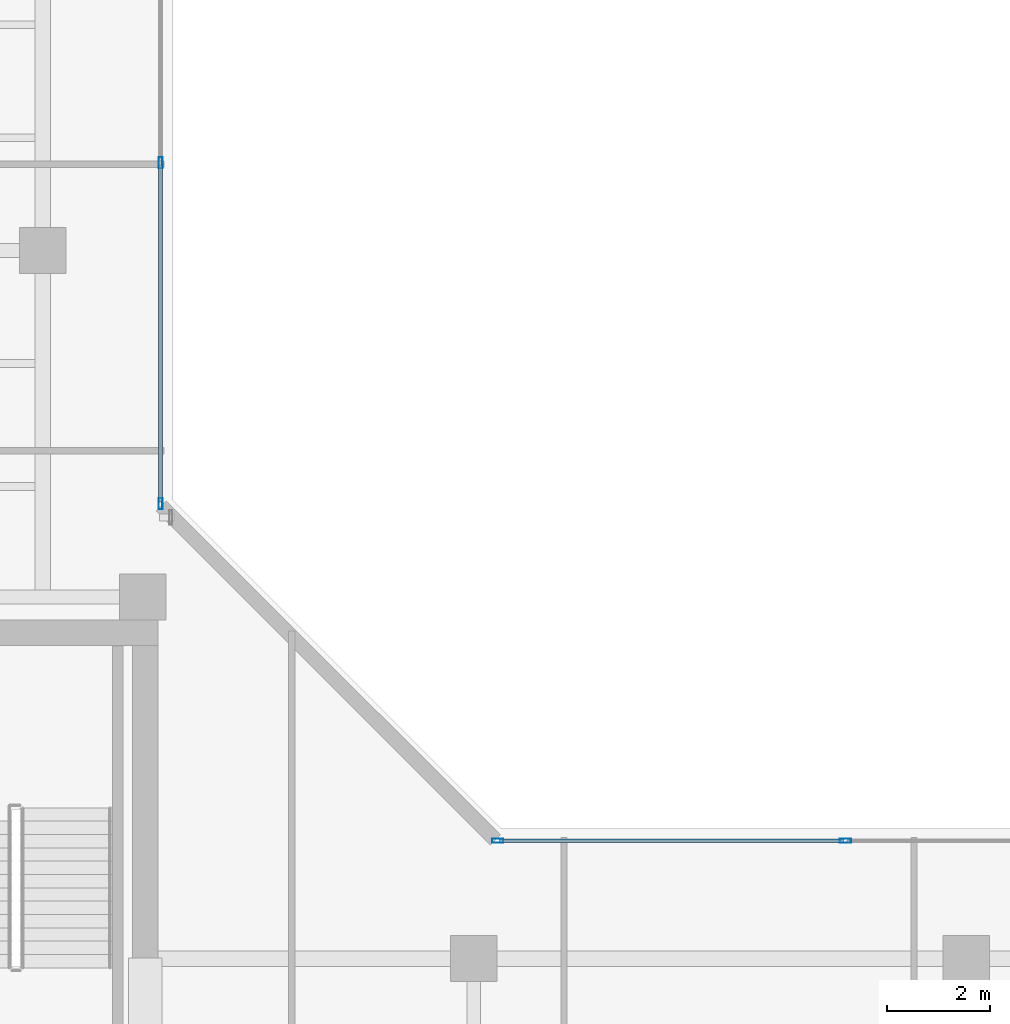
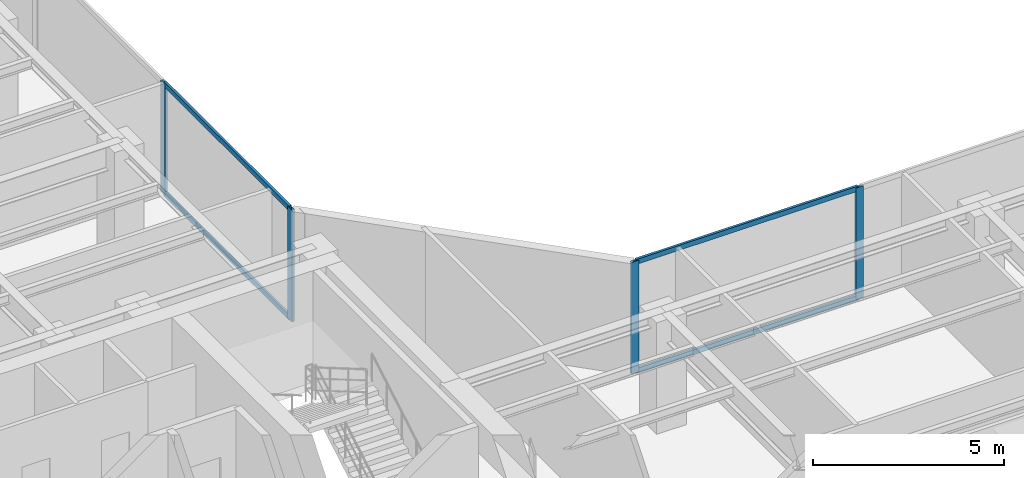
# One storey, part 10 of 24: 8 members, 2 elements without a shape of their own.
"""IFC4 building model written with IfcOpenShell, lengths in metres."""

from ifc_helpers import new_model, si_unit, direction, frame, origin, origin_with_axes, origin_2d, place, context, subcontext, project, spatial, hollow_rectangle, extrude, source, transform, mapped, material, layer, layer_set, material_profile, profile_set, type_object, element, aggregate, save


model = new_model("IFC4")

# Units and contexts
model_context = context("Model", 3, precision=1e-05, world=origin(), true_north=direction((0.0, 1.0)))
body_context = subcontext(model_context, "Body", "Model", "MODEL_VIEW")
ifc_project = project(units=[si_unit("LENGTHUNIT", "METRE"), si_unit("AREAUNIT", "SQUARE_METRE"), si_unit("VOLUMEUNIT", "CUBIC_METRE"), si_unit("PLANEANGLEUNIT", "RADIAN"), si_unit("MASSUNIT", "GRAM", prefix="KILO")], contexts=[model_context])

# Site, building, storey
site_placement = place(None, origin())
site = spatial("IfcSite", under=ifc_project, at=site_placement, CompositionType="ELEMENT")
building_placement = place(site_placement, origin())
building = spatial("IfcBuilding", under=site, at=building_placement, Name="Kolvaren Waterfront Exchange", CompositionType="ELEMENT")
storey_placement = place(building_placement, frame((0.0, 0.0, 285.60009765625)))
storey = spatial("IfcBuildingStorey", under=building, at=storey_placement, Name="L73", CompositionType="ELEMENT", Elevation=285.60009765625)

# Curtain wall, members
ifc_material_1 = material(Name="Anodised bronze aluminium 6063-T6", Category="aluminium")
ifc_layer = layer(ifc_material_1, 0.219970703125, Name="Anodised bronze aluminium 6063-T6")
ifc_layer_set = layer_set([ifc_layer], Name="Anodised bronze aluminium 6063-T6")
curtain_wall_type = type_object("IfcCurtainWallType", Name="ARC-CW-SYS1", PredefinedType="USERDEFINED", material=ifc_layer_set)
curtain_wall_1_placement = place(storey_placement, origin())
curtain_wall_1 = element("IfcCurtainWall", 1, at=curtain_wall_1_placement, inside=storey, type_object=curtain_wall_type, Name="L73 stick curtain wall CW1 (CW-L73-NE)", ObjectType="STICK CURTAIN WALL", PredefinedType="USERDEFINED")
ifc_material_2 = material(Name="Anodised aluminium 6063-T6", Category="aluminium")
ifc_material_profile_1 = material_profile(ifc_material_2, hollow_rectangle(XDim=0.080078125, YDim=0.219970703125, WallThickness=0.0048828125, at=origin_2d()), Name="ALU-MUL-220x80x5")
ifc_profile_set_1 = profile_set([ifc_material_profile_1], Name="Anodised aluminium 6063-T6")
member_type_1 = type_object("IfcMemberType", Name="ARC-CWM-220", PredefinedType="MULLION", material=ifc_profile_set_1)
shared_shape_1 = source(origin_with_axes(), body_context, "Body", "SweptSolid", [
    extrude(hollow_rectangle(XDim=0.080078125, YDim=0.219970703125, WallThickness=0.0048828125, at=origin_2d()), origin(), (0.0, 0.0, 1.0), 3.559814453125),
])
member_1_placement = place(storey_placement, frame((21.0966796875, 26.266845703125, 0.0), z_axis=(0.0, 0.0, 1.0), x_axis=(-1.0, 0.0, 0.0)))
member_1 = element("IfcMember", 2, at=member_1_placement, type_object=member_type_1, Name="CW1 mullion 1", PredefinedType="MULLION", context=body_context, shape_type="MappedRepresentation", body=[
    mapped(shared_shape_1, transform((0.0, 0.0, 0.0), x_axis=(1.0, 0.0, 0.0), y_axis=(0.0, 1.0, 0.0), z_axis=(0.0, 0.0, 1.0), scale=1.0)),
])
member_2_placement = place(storey_placement, frame((21.0966796875, 32.910888671875, 0.0), z_axis=(0.0, 0.0, 1.0), x_axis=(-1.0, 0.0, 0.0)))
member_2 = element("IfcMember", 3, at=member_2_placement, type_object=member_type_1, Name="CW1 mullion 2", PredefinedType="MULLION", context=body_context, shape_type="MappedRepresentation", body=[
    mapped(shared_shape_1, transform((0.0, 0.0, 0.0), x_axis=(1.0, 0.0, 0.0), y_axis=(0.0, 1.0, 0.0), z_axis=(0.0, 0.0, 1.0), scale=1.0)),
])

curtain_wall_2_placement = place(storey_placement, origin())
curtain_wall_2 = element("IfcCurtainWall", 4, at=curtain_wall_2_placement, inside=storey, type_object=curtain_wall_type, Name="L73 stick curtain wall CW1 (CW-L73-EN)", ObjectType="STICK CURTAIN WALL", PredefinedType="USERDEFINED")
member_3_placement = place(storey_placement, frame((27.666748046875, 19.69677734375, 0.0), z_axis=(0.0, 0.0, 1.0), x_axis=(0.0, 1.0, 0.0)))
member_3 = element("IfcMember", 5, at=member_3_placement, type_object=member_type_1, Name="CW1 mullion 1", PredefinedType="MULLION", context=body_context, shape_type="MappedRepresentation", body=[
    mapped(shared_shape_1, transform((0.0, 0.0, 0.0), x_axis=(1.0, 0.0, 0.0), y_axis=(0.0, 1.0, 0.0), z_axis=(0.0, 0.0, 1.0), scale=1.0)),
])
member_4_placement = place(storey_placement, frame((34.444091796875, 19.69677734375, 0.0), z_axis=(0.0, 0.0, 1.0), x_axis=(0.0, 1.0, 0.0)))
member_4 = element("IfcMember", 6, at=member_4_placement, type_object=member_type_1, Name="CW1 mullion 2", PredefinedType="MULLION", context=body_context, shape_type="MappedRepresentation", body=[
    mapped(shared_shape_1, transform((0.0, 0.0, 0.0), x_axis=(1.0, 0.0, 0.0), y_axis=(0.0, 1.0, 0.0), z_axis=(0.0, 0.0, 1.0), scale=1.0)),
])

# Member
ifc_material_profile_2 = material_profile(ifc_material_2, hollow_rectangle(XDim=0.074951171875, YDim=0.159912109375, WallThickness=0.00439453125, at=origin_2d()), Name="ALU-TRN-160x75x4.5")
ifc_profile_set_2 = profile_set([ifc_material_profile_2], Name="Anodised aluminium 6063-T6")
member_type_2 = type_object("IfcMemberType", Name="ARC-CWT-160", PredefinedType="USERDEFINED", material=ifc_profile_set_2)
shared_shape_2 = source(origin_with_axes(), body_context, "Body", "SweptSolid", [
    extrude(hollow_rectangle(XDim=0.074951171875, YDim=0.159912109375, WallThickness=0.00439453125, at=origin_2d()), origin(), (0.0, 0.0, 1.0), 6.56396484375),
])
member_5_placement = place(storey_placement, frame((21.0966796875, 26.306884765625, 0.037353515625), z_axis=(0.0, 1.0, 0.0), x_axis=(-1.0, 0.0, 0.0)))
member_5 = element("IfcMember", 7, at=member_5_placement, type_object=member_type_2, Name="CW1 transom 1.1", ObjectType="TRANSOM", PredefinedType="USERDEFINED", context=body_context, shape_type="MappedRepresentation", body=[
    mapped(shared_shape_2, transform((0.0, 0.0, 0.0), x_axis=(1.0, 0.0, 0.0), y_axis=(0.0, 1.0, 0.0), z_axis=(0.0, 0.0, 1.0), scale=1.0)),
])

member_6_placement = place(storey_placement, frame((21.0966796875, 26.306884765625, 3.5224609375), z_axis=(0.0, 1.0, 0.0), x_axis=(-1.0, 0.0, 0.0)))
member_6 = element("IfcMember", 8, at=member_6_placement, type_object=member_type_2, Name="CW1 transom 1.2", ObjectType="TRANSOM", PredefinedType="USERDEFINED", context=body_context, shape_type="MappedRepresentation", body=[
    mapped(shared_shape_2, transform((0.0, 0.0, 0.0), x_axis=(1.0, 0.0, 0.0), y_axis=(0.0, 1.0, 0.0), z_axis=(0.0, 0.0, 1.0), scale=1.0)),
])

aggregate(curtain_wall_1, [member_1, member_2, member_5, member_6])

shared_shape_3 = source(origin_with_axes(), body_context, "Body", "SweptSolid", [
    extrude(hollow_rectangle(XDim=0.074951171875, YDim=0.159912109375, WallThickness=0.00439453125, at=origin_2d()), origin(), (0.0, 0.0, 1.0), 6.697265625),
])
member_7_placement = place(storey_placement, frame((27.706787109375, 19.69677734375, 0.037353515625), z_axis=(1.0, 0.0, 0.0), x_axis=(0.0, 1.0, 0.0)))
member_7 = element("IfcMember", 9, at=member_7_placement, type_object=member_type_2, Name="CW1 transom 1.1", ObjectType="TRANSOM", PredefinedType="USERDEFINED", context=body_context, shape_type="MappedRepresentation", body=[
    mapped(shared_shape_3, transform((0.0, 0.0, 0.0), x_axis=(1.0, 0.0, 0.0), y_axis=(0.0, 1.0, 0.0), z_axis=(0.0, 0.0, 1.0), scale=1.0)),
])

member_8_placement = place(storey_placement, frame((27.706787109375, 19.69677734375, 3.5224609375), z_axis=(1.0, 0.0, 0.0), x_axis=(0.0, 1.0, 0.0)))
member_8 = element("IfcMember", 10, at=member_8_placement, type_object=member_type_2, Name="CW1 transom 1.2", ObjectType="TRANSOM", PredefinedType="USERDEFINED", context=body_context, shape_type="MappedRepresentation", body=[
    mapped(shared_shape_3, transform((0.0, 0.0, 0.0), x_axis=(1.0, 0.0, 0.0), y_axis=(0.0, 1.0, 0.0), z_axis=(0.0, 0.0, 1.0), scale=1.0)),
])

aggregate(curtain_wall_2, [member_3, member_4, member_7, member_8])

save(model, "model.ifc")
